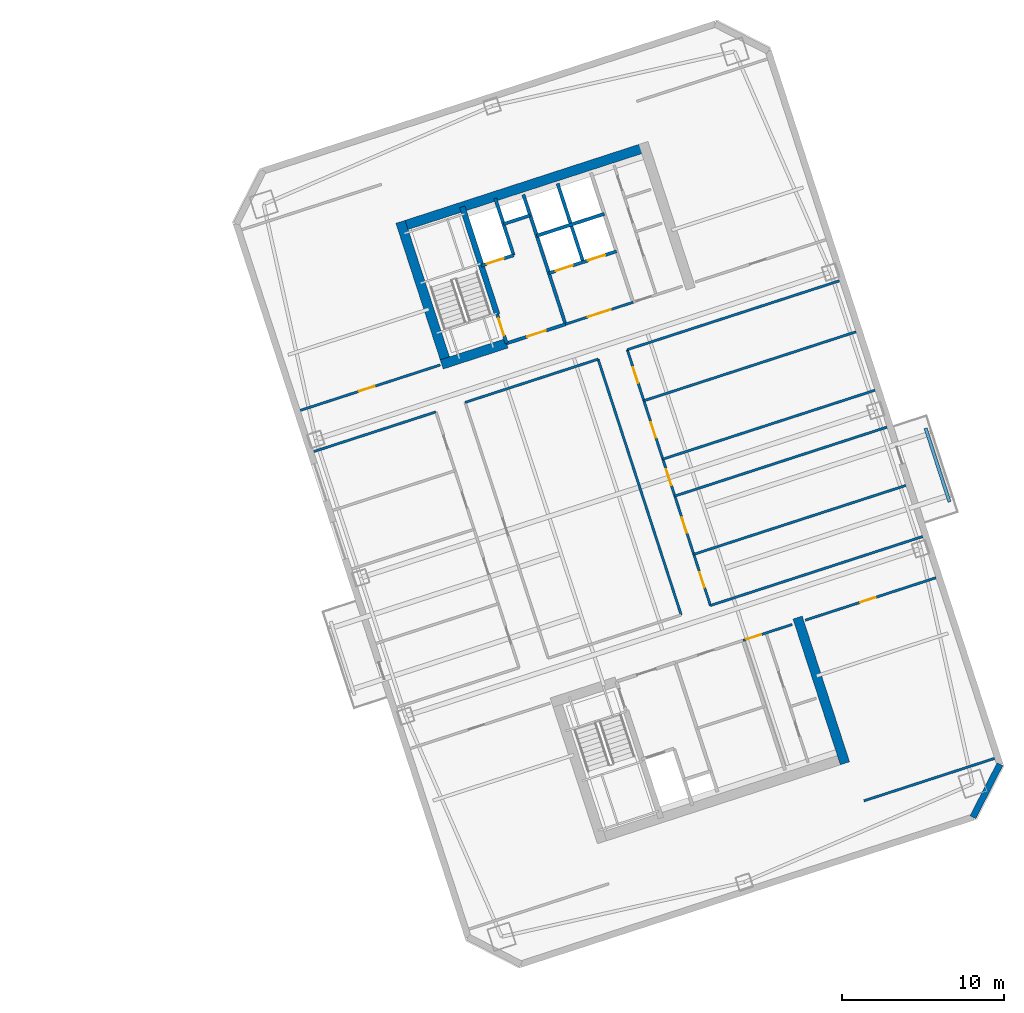
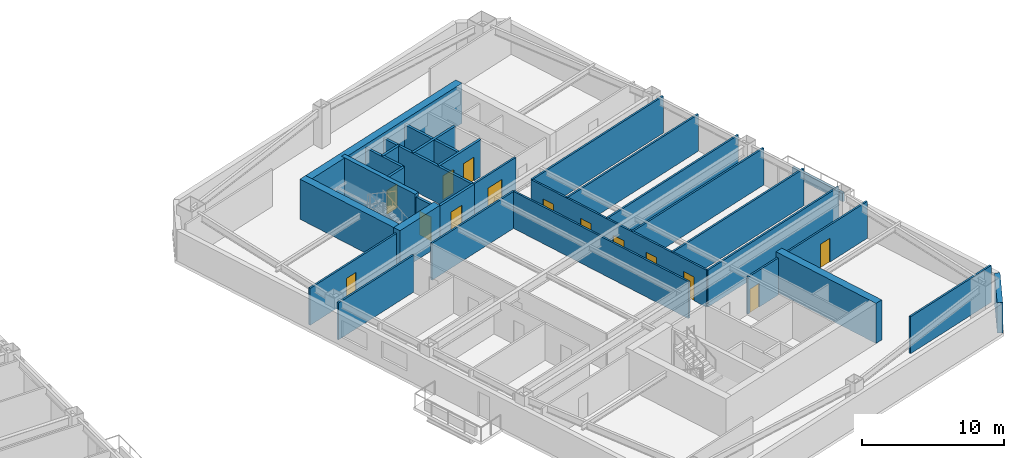
# One storey, part 8 of 14: 31 walls, 14 doors, 14 openings.
"""IFC4 building model written with IfcOpenShell, lengths in metres."""

from ifc_helpers import new_model, si_unit, direction, frame, frame_2d, origin, place, context, subcontext, project, spatial, rectangle, extrude, material, layer, layer_set, type_object, element, fill, save


model = new_model("IFC4")

# Units and contexts
model_context = context("Model", 3, precision=1e-05, world=origin(), true_north=direction((0.0, 1.0)))
body_context = subcontext(model_context, "Body", "Model", "MODEL_VIEW")
ifc_project = project(units=[si_unit("LENGTHUNIT", "METRE"), si_unit("AREAUNIT", "SQUARE_METRE"), si_unit("VOLUMEUNIT", "CUBIC_METRE"), si_unit("PLANEANGLEUNIT", "RADIAN"), si_unit("MASSUNIT", "GRAM", prefix="KILO")], contexts=[model_context])

# Site, building, storey
site_placement = place(None, origin())
site = spatial("IfcSite", under=ifc_project, at=site_placement, CompositionType="ELEMENT")
building_placement = place(site_placement, origin())
building = spatial("IfcBuilding", under=site, at=building_placement, Name="Qiaolan Cultural Towers", CompositionType="ELEMENT")
storey_placement = place(building_placement, frame((0.0, 0.0, 103.5)))
storey = spatial("IfcBuildingStorey", under=building, at=storey_placement, Name="L26", CompositionType="ELEMENT", Elevation=103.5)

# Walls
ifc_material_1 = material(Name="Concrete C50", Category="concrete")
ifc_layer_1 = layer(ifc_material_1, 0.35009765625)
ifc_layer_set_1 = layer_set([ifc_layer_1], Name="Concrete C50")
wall_type_1 = type_object("IfcWallType", Name="WL-CORE-350", PredefinedType="SHEAR", material=ifc_layer_set_1)
wall_1_placement = place(storey_placement, frame((82.513671875, 45.13134765625, 0.0), z_axis=(0.0, 0.0, 1.0), x_axis=(-0.308988790936, 0.951065679686, 0.0)))
element("IfcWall", 1, at=wall_1_placement, inside=storey, type_object=wall_type_1, Name="L26 T2-CN Stair Core Dividing Web", PredefinedType="SHEAR", context=body_context, shape_type="SweptSolid", body=[
    extrude(rectangle(XDim=6.97998046875, YDim=0.35009765625, at=frame_2d((3.489990234375, 0.0))), origin(), (0.0, 0.0, 1.0), 3.449951171875),
])
ifc_material_2 = material(Name="Concrete C55", Category="concrete")
ifc_layer_2 = layer(ifc_material_2, 0.60009765625)
ifc_layer_set_2 = layer_set([ifc_layer_2], Name="Concrete C55")
wall_type_2 = type_object("IfcWallType", Name="WL-CORE-600", PredefinedType="SHEAR", material=ifc_layer_set_2)
wall_2_placement = place(storey_placement, frame((101.105224609375, 26.357666015625, 0.0), z_axis=(0.0, 0.0, 1.0), x_axis=(0.309010370028, -0.95105866865, 0.0)))
element("IfcWall", 2, at=wall_2_placement, inside=storey, type_object=wall_type_2, Name="L26 T2-CS East Core Shear Wall", PredefinedType="SHEAR", context=body_context, shape_type="SweptSolid", body=[
    extrude(rectangle(XDim=9.47998046875, YDim=0.60009765625, at=frame_2d((4.739990234375, 0.0))), origin(), (0.0, 0.0, 1.0), 3.449951171875),
])
wall_3_placement = place(storey_placement, frame((76.343505859375, 50.4658203125, 0.0), z_axis=(0.0, 0.0, 1.0), x_axis=(0.951055727519, 0.309019421968, 0.0)))
element("IfcWall", 3, at=wall_3_placement, inside=storey, type_object=wall_type_2, Name="L26 T2-CN Outer Core Shear Wall", PredefinedType="SHEAR", context=body_context, shape_type="SweptSolid", body=[
    extrude(rectangle(XDim=16.39990234375, YDim=0.60009765625, at=frame_2d((8.199951171875, 0.0))), origin(), (0.0, 0.0, 1.0), 3.449951171875),
])
wall_4_placement = place(storey_placement, frame((79.465576171875, 41.827880859375, 0.0), z_axis=(0.0, 0.0, 1.0), x_axis=(-0.309041232772, 0.951048640421, 0.0)))
element("IfcWall", 4, at=wall_4_placement, inside=storey, type_object=wall_type_2, Name="L26 T2-CN West Core Shear Wall", PredefinedType="SHEAR", context=body_context, shape_type="SweptSolid", body=[
    extrude(rectangle(XDim=9.47998046875, YDim=0.60009765625, at=frame_2d((4.739990234375, 0.0))), origin(), (0.0, 0.0, 1.0), 3.449951171875),
])
wall_5_placement = place(storey_placement, frame((79.08740234375, 42.0205078125, 0.0), z_axis=(0.0, 0.0, 1.0), x_axis=(0.951062550203, 0.3089984233, 0.0)))
element("IfcWall", 5, at=wall_5_placement, inside=storey, type_object=wall_type_2, Name="L26 T2-CN Stair Front Shear Wall", PredefinedType="SHEAR", context=body_context, shape_type="SweptSolid", body=[
    extrude(rectangle(XDim=4.219970703125, YDim=0.60009765625, at=frame_2d((2.10986328125, 0.0))), origin(), (0.0, 0.0, 1.0), 3.449951171875),
])
ifc_material_3 = material(Name="Precast Concrete C50 Honed Stone Pier", Category="masonry")
ifc_layer_3 = layer(ifc_material_3, 0.39990234375)
ifc_layer_set_3 = layer_set([ifc_layer_3], Name="Precast Concrete C50 Honed Stone Pier")
wall_type_3 = type_object("IfcWallType", Name="WL-EXT-PIER-400", PredefinedType="SOLIDWALL", material=ifc_layer_set_3)
wall_6_placement = place(storey_placement, frame((113.62255859375, 17.281494140625, 0.0), z_axis=(0.0, 0.0, 1.0), x_axis=(-0.454026238093, -0.890988313685, 0.0)))
element("IfcWall", 6, at=wall_6_placement, inside=storey, type_object=wall_type_3, Name="L26 East Tower Precast Pier Facade Wall F6", PredefinedType="SOLIDWALL", context=body_context, shape_type="SweptSolid", body=[
    extrude(rectangle(XDim=3.677001953125, YDim=0.39990234375, at=frame_2d((1.83837890625, 0.0))), origin(), (0.0, 0.0, 1.0), 2.610107421875),
])

# Wall, opening, door
ifc_material_4 = material(Name="Concrete C35 Fire Wall", Category="concrete")
ifc_layer_4 = layer(ifc_material_4, 0.199951171875)
ifc_layer_set_4 = layer_set([ifc_layer_4], Name="Concrete C35 Fire Wall")
wall_type_4 = type_object("IfcWallType", Name="WL-FIRE-200", PredefinedType="PARTITIONING", material=ifc_layer_set_4)
wall_7_placement = place(storey_placement, frame((83.100830078125, 43.324462890625, 0.0), z_axis=(0.0, 0.0, 1.0), x_axis=(-0.309048298632, 0.951046344356, 0.0)))
wall_7 = element("IfcWall", 7, at=wall_7_placement, inside=storey, type_object=wall_type_4, Name="L26 T2-CN Smokeproof Stair Entry Wall", PredefinedType="PARTITIONING", context=body_context, shape_type="SweptSolid", body=[
    extrude(rectangle(XDim=1.89990234375, YDim=0.199951171875, at=frame_2d((0.949951171875, 0.0))), origin(), (0.0, 0.0, 1.0), 3.175048828125),
])
opening_1_placement = place(wall_7_placement, frame((0.52001953125, 0.0, 0.0)))
opening_1 = element("IfcOpeningElement", 8, at=opening_1_placement, cuts=wall_7, Name="Opening FD-04", PredefinedType="OPENING", context=body_context, shape_type="SweptSolid", body=[
    extrude(rectangle(XDim=1.10009765625, YDim=2.050048828125, at=frame_2d((0.550048828125, 1.02490234375))), frame((0.0, 0.10986328125, 0.0), z_axis=(0.0, -1.0, 0.0), x_axis=(1.0, 0.0, 0.0)), (0.0, 0.0, 1.0), 0.219970703125),
])
ifc_material_5 = material(Name="Galvanized Steel Command Fire Door", Category="steel")
door_type_1 = type_object("IfcDoorType", Name="DR-FD90-1100", OperationType="NOTDEFINED", PredefinedType="DOOR", material=ifc_material_5)
door_1_placement = place(opening_1_placement, origin())
door_1 = element("IfcDoor", 9, at=door_1_placement, inside=storey, type_object=door_type_1, Name="L26 ST-E2 Smokeproof Stair Fire Door", OperationType="SINGLE_SWING_LEFT", OverallHeight=2.050048828125, OverallWidth=1.10009765625, PredefinedType="DOOR", context=body_context, shape_type="SweptSolid", body=[
    extrude(rectangle(XDim=1.10009765625, YDim=2.050048828125, at=frame_2d((0.550048828125, 1.02490234375))), frame((0.0, 0.02490234375, 0.0), z_axis=(0.0, -1.0, 0.0), x_axis=(1.0, 0.0, 0.0)), (0.0, 0.0, 1.0), 0.050048828125),
])
fill(opening_1, door_1)

# Wall
wall_8_placement = place(storey_placement, frame((86.743408203125, 44.508056640625, 0.0), z_axis=(0.0, 0.0, 1.0), x_axis=(-0.309016001439, 0.951056838919, 0.0)))
element("IfcWall", 10, at=wall_8_placement, inside=storey, type_object=wall_type_4, Name="L26 T2-CN Firefighting Zone Wall", PredefinedType="PARTITIONING", context=body_context, shape_type="SweptSolid", body=[
    extrude(rectangle(XDim=8.429931640625, YDim=0.199951171875, at=frame_2d((4.21484375, 0.0))), origin(), (0.0, 0.0, 1.0), 3.175048828125),
])

# Wall, opening, door
wall_9_placement = place(storey_placement, frame((83.100830078125, 43.324462890625, 0.0), z_axis=(0.0, 0.0, 1.0), x_axis=(0.951052804469, 0.309028417967, 0.0)))
wall_9 = element("IfcWall", 11, at=wall_9_placement, inside=storey, type_object=wall_type_4, Name="L26 T2-CN Firefighting Lobby Front Wall", PredefinedType="PARTITIONING", context=body_context, shape_type="SweptSolid", body=[
    extrude(rectangle(XDim=3.830078125, YDim=0.199951171875, at=frame_2d((1.9150390625, 0.0))), origin(), (0.0, 0.0, 1.0), 3.175048828125),
])
opening_2_placement = place(wall_9_placement, frame((1.35009765625, 0.0, 0.0)))
opening_2 = element("IfcOpeningElement", 12, at=opening_2_placement, cuts=wall_9, Name="Opening FD-03", PredefinedType="OPENING", context=body_context, shape_type="SweptSolid", body=[
    extrude(rectangle(XDim=1.199951171875, YDim=2.050048828125, at=frame_2d((0.60009765625, 1.02490234375))), frame((0.0, 0.10986328125, 0.0), z_axis=(0.0, -1.0, 0.0), x_axis=(1.0, 0.0, 0.0)), (0.0, 0.0, 1.0), 0.219970703125),
])
ifc_material_6 = material(Name="Galvanized Steel Smokeproof Lobby Fire Door", Category="steel")
door_type_2 = type_object("IfcDoorType", Name="DR-FD90-1200", OperationType="NOTDEFINED", PredefinedType="DOOR", material=ifc_material_6)
door_2_placement = place(opening_2_placement, origin())
door_2 = element("IfcDoor", 13, at=door_2_placement, inside=storey, type_object=door_type_2, Name="L26 FFL-E2 Firefighting Lobby Fire Door", OperationType="SINGLE_SWING_LEFT", OverallHeight=2.050048828125, OverallWidth=1.199951171875, PredefinedType="DOOR", context=body_context, shape_type="SweptSolid", body=[
    extrude(rectangle(XDim=1.199951171875, YDim=2.050048828125, at=frame_2d((0.60009765625, 1.02490234375))), frame((0.0, 0.02490234375, 0.0), z_axis=(0.0, -1.0, 0.0), x_axis=(1.0, 0.0, 0.0)), (0.0, 0.0, 1.0), 0.050048828125),
])
fill(opening_2, door_2)

wall_10_placement = place(storey_placement, frame((81.540283203125, 48.127197265625, 0.0), z_axis=(0.0, 0.0, 1.0), x_axis=(0.951062257173, 0.308999325213, 0.0)))
wall_10 = element("IfcWall", 14, at=wall_10_placement, inside=storey, type_object=wall_type_4, Name="L26 T2-CN Firefighting Shaft Front Wall", PredefinedType="PARTITIONING", context=body_context, shape_type="SweptSolid", body=[
    extrude(rectangle(XDim=2.10009765625, YDim=0.199951171875, at=frame_2d((1.050048828125, 0.0))), origin(), (0.0, 0.0, 1.0), 3.175048828125),
])
opening_3_placement = place(wall_10_placement, frame((0.35009765625, 0.0, 0.0)))
opening_3 = element("IfcOpeningElement", 15, at=opening_3_placement, cuts=wall_10, Name="Opening LD-01", PredefinedType="OPENING", context=body_context, shape_type="SweptSolid", body=[
    extrude(rectangle(XDim=1.10009765625, YDim=2.050048828125, at=frame_2d((0.550048828125, 1.02490234375))), frame((0.0, 0.10986328125, 0.0), z_axis=(0.0, -1.0, 0.0), x_axis=(1.0, 0.0, 0.0)), (0.0, 0.0, 1.0), 0.219970703125),
])
ifc_material_7 = material(Name="Brushed Stainless Steel S30408 Centre-Parting Lift Landing Door", Category="steel")
door_type_3 = type_object("IfcDoorType", Name="DR-LIFT-1100", OperationType="NOTDEFINED", PredefinedType="DOOR", material=ifc_material_7)
door_3_placement = place(opening_3_placement, origin())
door_3 = element("IfcDoor", 16, at=door_3_placement, inside=storey, type_object=door_type_3, Name="L26 FFL-E2 Firefighting Lift Landing Door", OperationType="DOUBLE_DOOR_SLIDING", OverallHeight=2.050048828125, OverallWidth=1.10009765625, PredefinedType="DOOR", context=body_context, shape_type="SweptSolid", body=[
    extrude(rectangle(XDim=1.10009765625, YDim=2.050048828125, at=frame_2d((0.550048828125, 1.02490234375))), frame((0.0, 0.02490234375, 0.0), z_axis=(0.0, -1.0, 0.0), x_axis=(1.0, 0.0, 0.0)), (0.0, 0.0, 1.0), 0.050048828125),
])
fill(opening_3, door_3)

# Walls
wall_11_placement = place(storey_placement, frame((83.53759765625, 48.776123046875, 0.0), z_axis=(0.0, 0.0, 1.0), x_axis=(-0.3089935693, 0.951064127245, 0.0)))
element("IfcWall", 17, at=wall_11_placement, inside=storey, type_object=wall_type_4, Name="L26 T2-CN Firefighting Hoistway East Wall", PredefinedType="PARTITIONING", context=body_context, shape_type="SweptSolid", body=[
    extrude(rectangle(XDim=3.7001953125, YDim=0.199951171875, at=frame_2d((1.85009765625, 0.0))), origin(), (0.0, 0.0, 1.0), 3.175048828125),
])
wall_12_placement = place(storey_placement, frame((82.910400390625, 50.706787109375, 0.0), z_axis=(0.0, 0.0, 1.0), x_axis=(0.951041328149, 0.309063734775, 0.0)))
element("IfcWall", 18, at=wall_12_placement, inside=storey, type_object=wall_type_4, Name="L26 T2-CN Pressurization Shaft Front Wall", PredefinedType="PARTITIONING", context=body_context, shape_type="SweptSolid", body=[
    extrude(rectangle(XDim=1.72998046875, YDim=0.199951171875, at=frame_2d((0.864990234375, 0.0))), origin(), (0.0, 0.0, 1.0), 3.175048828125),
])

# Wall, openings, doors
wall_13_placement = place(storey_placement, frame((85.717529296875, 47.66552734375, 0.0), z_axis=(0.0, 0.0, 1.0), x_axis=(0.951058531764, 0.30901079133, 0.0)))
wall_13 = element("IfcWall", 19, at=wall_13_placement, inside=storey, type_object=wall_type_4, Name="L26 T2-CN Passenger Lift Shaft Front Wall", PredefinedType="PARTITIONING", context=body_context, shape_type="SweptSolid", body=[
    extrude(rectangle(XDim=4.39990234375, YDim=0.199951171875, at=frame_2d((2.199951171875, 0.0))), origin(), (0.0, 0.0, 1.0), 3.175048828125),
])
opening_4_placement = place(wall_13_placement, frame((0.449951171875, 0.0, 0.0)))
opening_4 = element("IfcOpeningElement", 20, at=opening_4_placement, cuts=wall_13, Name="Opening LD-01", PredefinedType="OPENING", context=body_context, shape_type="SweptSolid", body=[
    extrude(rectangle(XDim=1.10009765625, YDim=2.050048828125, at=frame_2d((0.550048828125, 1.02490234375))), frame((0.0, 0.10986328125, 0.0), z_axis=(0.0, -1.0, 0.0), x_axis=(1.0, 0.0, 0.0)), (0.0, 0.0, 1.0), 0.219970703125),
])
opening_5_placement = place(wall_13_placement, frame((2.550048828125, 0.0, 0.0)))
opening_5 = element("IfcOpeningElement", 21, at=opening_5_placement, cuts=wall_13, Name="Opening LD-01", PredefinedType="OPENING", context=body_context, shape_type="SweptSolid", body=[
    extrude(rectangle(XDim=1.10009765625, YDim=2.050048828125, at=frame_2d((0.550048828125, 1.02490234375))), frame((0.0, 0.10986328125, 0.0), z_axis=(0.0, -1.0, 0.0), x_axis=(1.0, 0.0, 0.0)), (0.0, 0.0, 1.0), 0.219970703125),
])
door_4_placement = place(opening_4_placement, origin())
door_4 = element("IfcDoor", 22, at=door_4_placement, inside=storey, type_object=door_type_3, Name="L26 Passenger Lift 1 Landing Door", OperationType="DOUBLE_DOOR_SLIDING", OverallHeight=2.050048828125, OverallWidth=1.10009765625, PredefinedType="DOOR", context=body_context, shape_type="SweptSolid", body=[
    extrude(rectangle(XDim=1.10009765625, YDim=2.050048828125, at=frame_2d((0.550048828125, 1.02490234375))), frame((0.0, 0.02490234375, 0.0), z_axis=(0.0, -1.0, 0.0), x_axis=(1.0, 0.0, 0.0)), (0.0, 0.0, 1.0), 0.050048828125),
])
fill(opening_4, door_4)
door_5_placement = place(opening_5_placement, origin())
door_5 = element("IfcDoor", 23, at=door_5_placement, inside=storey, type_object=door_type_3, Name="L26 Passenger Lift 2 Landing Door", OperationType="DOUBLE_DOOR_SLIDING", OverallHeight=2.050048828125, OverallWidth=1.10009765625, PredefinedType="DOOR", context=body_context, shape_type="SweptSolid", body=[
    extrude(rectangle(XDim=1.10009765625, YDim=2.050048828125, at=frame_2d((0.550048828125, 1.02490234375))), frame((0.0, 0.02490234375, 0.0), z_axis=(0.0, -1.0, 0.0), x_axis=(1.0, 0.0, 0.0)), (0.0, 0.0, 1.0), 0.050048828125),
])
fill(opening_5, door_5)

# Walls
wall_14_placement = place(storey_placement, frame((87.83837890625, 48.3544921875, 0.0), z_axis=(0.0, 0.0, 1.0), x_axis=(-0.3090093719, 0.951058992953, 0.0)))
element("IfcWall", 24, at=wall_14_placement, inside=storey, type_object=wall_type_4, Name="L26 T2-CN Lift Shaft Divider Wall", PredefinedType="PARTITIONING", context=body_context, shape_type="SweptSolid", body=[
    extrude(rectangle(XDim=5.110107421875, YDim=0.199951171875, at=frame_2d((2.55517578125, 0.0))), origin(), (0.0, 0.0, 1.0), 3.175048828125),
])
wall_15_placement = place(storey_placement, frame((84.966552734375, 49.9765625, 0.0), z_axis=(0.0, 0.0, 1.0), x_axis=(0.951063829732, 0.308994485023, 0.0)))
element("IfcWall", 25, at=wall_15_placement, inside=storey, type_object=wall_type_4, Name="L26 T2-CN Passenger Lift Shaft Back Wall", PredefinedType="PARTITIONING", context=body_context, shape_type="SweptSolid", body=[
    extrude(rectangle(XDim=4.400146484375, YDim=0.199951171875, at=frame_2d((2.2001953125, 0.0))), origin(), (0.0, 0.0, 1.0), 3.175048828125),
])

# Wall, opening, door
ifc_material_8 = material(Name="Autoclaved Aerated Concrete Block B06", Category="concrete")
ifc_layer_5 = layer(ifc_material_8, 0.14990234375)
ifc_layer_set_5 = layer_set([ifc_layer_5], Name="Autoclaved Aerated Concrete Block B06")
wall_type_5 = type_object("IfcWallType", Name="WL-PART-150", PredefinedType="PARTITIONING", material=ifc_layer_set_5)
wall_16_placement = place(storey_placement, frame((97.7265625, 24.9443359375, 0.0), z_axis=(0.0, 0.0, 1.0), x_axis=(0.951036872128, 0.309077446369, 0.0)))
wall_16 = element("IfcWall", 26, at=wall_16_placement, inside=storey, type_object=wall_type_5, Name="L26 T2-CS Sanitary Core Front Wall", PredefinedType="PARTITIONING", context=body_context, shape_type="SweptSolid", body=[
    extrude(rectangle(XDim=3.199951171875, YDim=0.14990234375, at=frame_2d((1.60009765625, 0.0))), origin(), (0.0, 0.0, 1.0), 3.175048828125),
])
opening_6_placement = place(wall_16_placement, frame((0.219970703125, 0.0, 0.0)))
opening_6 = element("IfcOpeningElement", 27, at=opening_6_placement, cuts=wall_16, Name="Opening ID-05", PredefinedType="OPENING", context=body_context, shape_type="SweptSolid", body=[
    extrude(rectangle(XDim=0.949951171875, YDim=2.050048828125, at=frame_2d((0.47509765625, 1.02490234375))), frame((0.0, 0.0849609375, 0.0), z_axis=(0.0, -1.0, 0.0), x_axis=(1.0, 0.0, 0.0)), (0.0, 0.0, 1.0), 0.169921875),
])
ifc_material_9 = material(Name="Fire-Rated Laminate Accessible Core Door", Category="timber")
door_type_4 = type_object("IfcDoorType", Name="DR-INT-950", OperationType="NOTDEFINED", PredefinedType="DOOR", material=ifc_material_9)
door_6_placement = place(opening_6_placement, origin())
door_6 = element("IfcDoor", 28, at=door_6_placement, inside=storey, type_object=door_type_4, Name="L26 Sanitary Lobby Door", OperationType="SINGLE_SWING_LEFT", OverallHeight=2.050048828125, OverallWidth=0.949951171875, PredefinedType="DOOR", context=body_context, shape_type="SweptSolid", body=[
    extrude(rectangle(XDim=0.949951171875, YDim=2.050048828125, at=frame_2d((0.47509765625, 1.02490234375))), frame((0.0, 0.02490234375, 0.0), z_axis=(0.0, -1.0, 0.0), x_axis=(1.0, 0.0, 0.0)), (0.0, 0.0, 1.0), 0.050048828125),
])
fill(opening_6, door_6)

wall_17_placement = place(storey_placement, frame((86.743408203125, 44.508056640625, 0.0), z_axis=(0.0, 0.0, 1.0), x_axis=(0.951063829732, 0.308994485023, 0.0)))
wall_17 = element("IfcWall", 29, at=wall_17_placement, inside=storey, type_object=wall_type_5, Name="L26 T2-CN Passenger Lift Lobby Front Wall", PredefinedType="PARTITIONING", context=body_context, shape_type="SweptSolid", body=[
    extrude(rectangle(XDim=4.400146484375, YDim=0.14990234375, at=frame_2d((2.2001953125, 0.0))), origin(), (0.0, 0.0, 1.0), 3.175048828125),
])
opening_7_placement = place(wall_17_placement, frame((1.449951171875, 0.0, 0.0)))
opening_7 = element("IfcOpeningElement", 30, at=opening_7_placement, cuts=wall_17, Name="Opening FD-05", PredefinedType="OPENING", context=body_context, shape_type="SweptSolid", body=[
    extrude(rectangle(XDim=1.5, YDim=2.050048828125, at=frame_2d((0.75, 1.02490234375))), frame((0.0, 0.0849609375, 0.0), z_axis=(0.0, -1.0, 0.0), x_axis=(1.0, 0.0, 0.0)), (0.0, 0.0, 1.0), 0.169921875),
])
ifc_material_10 = material(Name="Painted Steel Lift Lobby Fire Door", Category="steel")
door_type_5 = type_object("IfcDoorType", Name="DR-FD60-1500", OperationType="NOTDEFINED", PredefinedType="DOOR", material=ifc_material_10)
door_7_placement = place(opening_7_placement, origin())
door_7 = element("IfcDoor", 31, at=door_7_placement, inside=storey, type_object=door_type_5, Name="L26 Passenger Lift Lobby Entrance", OperationType="SINGLE_SWING_LEFT", OverallHeight=2.050048828125, OverallWidth=1.5, PredefinedType="DOOR", context=body_context, shape_type="SweptSolid", body=[
    extrude(rectangle(XDim=1.5, YDim=2.050048828125, at=frame_2d((0.75, 1.02490234375))), frame((0.0, 0.02490234375, 0.0), z_axis=(0.0, -1.0, 0.0), x_axis=(1.0, 0.0, 0.0)), (0.0, 0.0, 1.0), 0.050048828125),
])
fill(opening_7, door_7)

# Wall
wall_18_placement = place(storey_placement, frame((105.209228515625, 15.02099609375, 0.0), z_axis=(0.0, 0.0, 1.0), x_axis=(0.951054329824, 0.309023723562, 0.0)))
element("IfcWall", 32, at=wall_18_placement, inside=storey, type_object=wall_type_5, Name="L26 T2 Flank Wall FLK-SE", PredefinedType="PARTITIONING", context=body_context, shape_type="SweptSolid", body=[
    extrude(rectangle(XDim=8.5, YDim=0.14990234375, at=frame_2d((4.25, 0.0))), origin(), (0.0, 0.0, 1.0), 3.175048828125),
])

# Wall, opening, door
wall_19_placement = place(storey_placement, frame((101.578369140625, 26.196044921875, 0.0), z_axis=(0.0, 0.0, 1.0), x_axis=(0.951062770994, 0.308997743729, 0.0)))
wall_19 = element("IfcWall", 33, at=wall_19_placement, inside=storey, type_object=wall_type_5, Name="L26 T2 Flank Front FLK-SE", PredefinedType="PARTITIONING", context=body_context, shape_type="SweptSolid", body=[
    extrude(rectangle(XDim=8.5, YDim=0.14990234375, at=frame_2d((4.25, 0.0))), origin(), (0.0, 0.0, 1.0), 3.175048828125),
])
opening_8_placement = place(wall_19_placement, frame((3.570068359375, 0.0, 0.0)))
opening_8 = element("IfcOpeningElement", 34, at=opening_8_placement, cuts=wall_19, Name="Opening ID-04", PredefinedType="OPENING", context=body_context, shape_type="SweptSolid", body=[
    extrude(rectangle(XDim=1.0, YDim=2.050048828125, at=frame_2d((0.5, 1.02490234375))), frame((0.0, 0.0849609375, 0.0), z_axis=(0.0, -1.0, 0.0), x_axis=(1.0, 0.0, 0.0)), (0.0, 0.0, 1.0), 0.169921875),
])
ifc_material_11 = material(Name="Oak Veneer Acoustic Office Door", Category="timber")
door_type_6 = type_object("IfcDoorType", Name="DR-INT-1000", OperationType="NOTDEFINED", PredefinedType="DOOR", material=ifc_material_11)
door_8_placement = place(opening_8_placement, origin())
door_8 = element("IfcDoor", 35, at=door_8_placement, inside=storey, type_object=door_type_6, Name="L26 T2 Corner Studio Door", OperationType="SINGLE_SWING_LEFT", OverallHeight=2.050048828125, OverallWidth=1.0, PredefinedType="DOOR", context=body_context, shape_type="SweptSolid", body=[
    extrude(rectangle(XDim=1.0, YDim=2.050048828125, at=frame_2d((0.5, 1.02490234375))), frame((0.0, 0.02490234375, 0.0), z_axis=(0.0, -1.0, 0.0), x_axis=(1.0, 0.0, 0.0)), (0.0, 0.0, 1.0), 0.050048828125),
])
fill(opening_8, door_8)

wall_20_placement = place(storey_placement, frame((70.337646484375, 39.177490234375, 0.0), z_axis=(0.0, 0.0, 1.0), x_axis=(0.951059695568, 0.309007209409, 0.0)))
wall_20 = element("IfcWall", 36, at=wall_20_placement, inside=storey, type_object=wall_type_5, Name="L26 T2 Flank Front FLK-NW", PredefinedType="PARTITIONING", context=body_context, shape_type="SweptSolid", body=[
    extrude(rectangle(XDim=9.10009765625, YDim=0.14990234375, at=frame_2d((4.550048828125, 0.0))), origin(), (0.0, 0.0, 1.0), 3.175048828125),
])
opening_9_placement = place(wall_20_placement, frame((3.822021484375, 0.0, 0.0)))
opening_9 = element("IfcOpeningElement", 37, at=opening_9_placement, cuts=wall_20, Name="Opening ID-04", PredefinedType="OPENING", context=body_context, shape_type="SweptSolid", body=[
    extrude(rectangle(XDim=1.0, YDim=2.050048828125, at=frame_2d((0.5, 1.02490234375))), frame((0.0, 0.0849609375, 0.0), z_axis=(0.0, -1.0, 0.0), x_axis=(1.0, 0.0, 0.0)), (0.0, 0.0, 1.0), 0.169921875),
])
door_9_placement = place(opening_9_placement, origin())
door_9 = element("IfcDoor", 38, at=door_9_placement, inside=storey, type_object=door_type_6, Name="L26 T2 Corner Studio Door", OperationType="SINGLE_SWING_LEFT", OverallHeight=2.050048828125, OverallWidth=1.0, PredefinedType="DOOR", context=body_context, shape_type="SweptSolid", body=[
    extrude(rectangle(XDim=1.0, YDim=2.050048828125, at=frame_2d((0.5, 1.02490234375))), frame((0.0, 0.02490234375, 0.0), z_axis=(0.0, -1.0, 0.0), x_axis=(1.0, 0.0, 0.0)), (0.0, 0.0, 1.0), 0.050048828125),
])
fill(opening_9, door_9)

# Walls
wall_21_placement = place(storey_placement, frame((95.70947265625, 27.10693359375, 0.0), z_axis=(0.0, 0.0, 1.0), x_axis=(0.951056688031, 0.309016465825, 0.0)))
element("IfcWall", 39, at=wall_21_placement, inside=storey, type_object=wall_type_5, Name="L26 T2 Interior Wall", PredefinedType="PARTITIONING", context=body_context, shape_type="SweptSolid", body=[
    extrude(rectangle(XDim=13.7998046875, YDim=0.14990234375, at=frame_2d((6.89990234375, 0.0))), origin(), (0.0, 0.0, 1.0), 3.175048828125),
])
wall_22_placement = place(storey_placement, frame((71.166015625, 36.628662109375, 0.0), z_axis=(0.0, 0.0, 1.0), x_axis=(0.951060470027, 0.309004825775, 0.0)))
element("IfcWall", 40, at=wall_22_placement, inside=storey, type_object=wall_type_5, Name="L26 T2 Interior Wall", PredefinedType="PARTITIONING", context=body_context, shape_type="SweptSolid", body=[
    extrude(rectangle(XDim=7.949951171875, YDim=0.14990234375, at=frame_2d((3.97509765625, 0.0))), origin(), (0.0, 0.0, 1.0), 3.175048828125),
])
wall_23_placement = place(storey_placement, frame((80.533935546875, 39.67236328125, 0.0), z_axis=(0.0, 0.0, 1.0), x_axis=(0.951052319652, 0.309029910015, 0.0)))
element("IfcWall", 41, at=wall_23_placement, inside=storey, type_object=wall_type_5, Name="L26 T2 Interior Wall", PredefinedType="PARTITIONING", context=body_context, shape_type="SweptSolid", body=[
    extrude(rectangle(XDim=8.64990234375, YDim=0.14990234375, at=frame_2d((4.324951171875, 0.0))), origin(), (0.0, 0.0, 1.0), 3.175048828125),
])
wall_24_placement = place(storey_placement, frame((90.5673828125, 42.9326171875, 0.0), z_axis=(0.0, 0.0, 1.0), x_axis=(0.951058377365, 0.309011266531, 0.0)))
element("IfcWall", 42, at=wall_24_placement, inside=storey, type_object=wall_type_5, Name="L26 T2 Interior Wall", PredefinedType="PARTITIONING", context=body_context, shape_type="SweptSolid", body=[
    extrude(rectangle(XDim=13.800048828125, YDim=0.14990234375, at=frame_2d((6.89990234375, 0.0))), origin(), (0.0, 0.0, 1.0), 3.175048828125),
])
wall_25_placement = place(storey_placement, frame((93.902587890625, 26.519775390625, 0.0), z_axis=(0.0, 0.0, 1.0), x_axis=(-0.30901773025, 0.951056277195, 0.0)))
element("IfcWall", 43, at=wall_25_placement, inside=storey, type_object=wall_type_5, Name="L26 T2 Interior Wall", PredefinedType="PARTITIONING", context=body_context, shape_type="SweptSolid", body=[
    extrude(rectangle(XDim=16.64013671875, YDim=0.14990234375, at=frame_2d((8.320068359375, 0.0))), origin(), (0.0, 0.0, 1.0), 3.175048828125),
])

# Wall, openings, doors
wall_26_placement = place(storey_placement, frame((95.70947265625, 27.10693359375, 0.0), z_axis=(0.0, 0.0, 1.0), x_axis=(-0.30901773025, 0.951056277195, 0.0)))
wall_26 = element("IfcWall", 44, at=wall_26_placement, inside=storey, type_object=wall_type_5, Name="L26 T2 Interior Wall", PredefinedType="PARTITIONING", context=body_context, shape_type="SweptSolid", body=[
    extrude(rectangle(XDim=16.64013671875, YDim=0.14990234375, at=frame_2d((8.320068359375, 0.0))), origin(), (0.0, 0.0, 1.0), 3.175048828125),
])
opening_10_placement = place(wall_26_placement, frame((1.1640625, 0.0, 0.0)))
opening_10 = element("IfcOpeningElement", 45, at=opening_10_placement, cuts=wall_26, Name="Opening ID-04", PredefinedType="OPENING", context=body_context, shape_type="SweptSolid", body=[
    extrude(rectangle(XDim=1.0, YDim=2.050048828125, at=frame_2d((0.5, 1.02490234375))), frame((0.0, 0.0849609375, 0.0), z_axis=(0.0, -1.0, 0.0), x_axis=(1.0, 0.0, 0.0)), (0.0, 0.0, 1.0), 0.169921875),
])
opening_11_placement = place(wall_26_placement, frame((4.72412109375, 0.0, 0.0)))
opening_11 = element("IfcOpeningElement", 46, at=opening_11_placement, cuts=wall_26, Name="Opening ID-04", PredefinedType="OPENING", context=body_context, shape_type="SweptSolid", body=[
    extrude(rectangle(XDim=1.0, YDim=2.050048828125, at=frame_2d((0.5, 1.02490234375))), frame((0.0, 0.0849609375, 0.0), z_axis=(0.0, -1.0, 0.0), x_axis=(1.0, 0.0, 0.0)), (0.0, 0.0, 1.0), 0.169921875),
])
opening_12_placement = place(wall_26_placement, frame((7.820068359375, 0.0, 0.0)))
opening_12 = element("IfcOpeningElement", 47, at=opening_12_placement, cuts=wall_26, Name="Opening ID-07", PredefinedType="OPENING", context=body_context, shape_type="SweptSolid", body=[
    extrude(rectangle(XDim=1.050048828125, YDim=2.050048828125, at=frame_2d((0.52490234375, 1.02490234375))), frame((0.0, 0.0849609375, 0.0), z_axis=(0.0, -1.0, 0.0), x_axis=(1.0, 0.0, 0.0)), (0.0, 0.0, 1.0), 0.169921875),
])
opening_13_placement = place(wall_26_placement, frame((10.919921875, 0.0, 0.0)))
opening_13 = element("IfcOpeningElement", 48, at=opening_13_placement, cuts=wall_26, Name="Opening ID-04", PredefinedType="OPENING", context=body_context, shape_type="SweptSolid", body=[
    extrude(rectangle(XDim=1.0, YDim=2.050048828125, at=frame_2d((0.5, 1.02490234375))), frame((0.0, 0.0849609375, 0.0), z_axis=(0.0, -1.0, 0.0), x_axis=(1.0, 0.0, 0.0)), (0.0, 0.0, 1.0), 0.169921875),
])
opening_14_placement = place(wall_26_placement, frame((14.47998046875, 0.0, 0.0)))
opening_14 = element("IfcOpeningElement", 49, at=opening_14_placement, cuts=wall_26, Name="Opening ID-04", PredefinedType="OPENING", context=body_context, shape_type="SweptSolid", body=[
    extrude(rectangle(XDim=1.0, YDim=2.050048828125, at=frame_2d((0.5, 1.02490234375))), frame((0.0, 0.0849609375, 0.0), z_axis=(0.0, -1.0, 0.0), x_axis=(1.0, 0.0, 0.0)), (0.0, 0.0, 1.0), 0.169921875),
])
door_10_placement = place(opening_10_placement, origin())
door_10 = element("IfcDoor", 50, at=door_10_placement, inside=storey, type_object=door_type_6, Name="L26 T2 Archival Research Office Door", OperationType="SINGLE_SWING_RIGHT", OverallHeight=2.050048828125, OverallWidth=1.0, PredefinedType="DOOR", context=body_context, shape_type="SweptSolid", body=[
    extrude(rectangle(XDim=1.0, YDim=2.050048828125, at=frame_2d((0.5, 1.02490234375))), frame((0.0, 0.02490234375, 0.0), z_axis=(0.0, -1.0, 0.0), x_axis=(1.0, 0.0, 0.0)), (0.0, 0.0, 1.0), 0.050048828125),
])
fill(opening_10, door_10)
door_11_placement = place(opening_11_placement, origin())
door_11 = element("IfcDoor", 51, at=door_11_placement, inside=storey, type_object=door_type_6, Name="L26 T2 Archival Research Office Door", OperationType="SINGLE_SWING_LEFT", OverallHeight=2.050048828125, OverallWidth=1.0, PredefinedType="DOOR", context=body_context, shape_type="SweptSolid", body=[
    extrude(rectangle(XDim=1.0, YDim=2.050048828125, at=frame_2d((0.5, 1.02490234375))), frame((0.0, 0.02490234375, 0.0), z_axis=(0.0, -1.0, 0.0), x_axis=(1.0, 0.0, 0.0)), (0.0, 0.0, 1.0), 0.050048828125),
])
fill(opening_11, door_11)
door_12_placement = place(opening_13_placement, origin())
door_12 = element("IfcDoor", 52, at=door_12_placement, inside=storey, type_object=door_type_6, Name="L26 T2 Tea Kitchen Door", OperationType="SINGLE_SWING_LEFT", OverallHeight=2.050048828125, OverallWidth=1.0, PredefinedType="DOOR", context=body_context, shape_type="SweptSolid", body=[
    extrude(rectangle(XDim=1.0, YDim=2.050048828125, at=frame_2d((0.5, 1.02490234375))), frame((0.0, 0.02490234375, 0.0), z_axis=(0.0, -1.0, 0.0), x_axis=(1.0, 0.0, 0.0)), (0.0, 0.0, 1.0), 0.050048828125),
])
fill(opening_13, door_12)
door_13_placement = place(opening_14_placement, origin())
door_13 = element("IfcDoor", 53, at=door_13_placement, inside=storey, type_object=door_type_6, Name="L26 T2 Scholar Lounge Door", OperationType="SINGLE_SWING_RIGHT", OverallHeight=2.050048828125, OverallWidth=1.0, PredefinedType="DOOR", context=body_context, shape_type="SweptSolid", body=[
    extrude(rectangle(XDim=1.0, YDim=2.050048828125, at=frame_2d((0.5, 1.02490234375))), frame((0.0, 0.02490234375, 0.0), z_axis=(0.0, -1.0, 0.0), x_axis=(1.0, 0.0, 0.0)), (0.0, 0.0, 1.0), 0.050048828125),
])
fill(opening_14, door_13)
ifc_material_12 = material(Name="Oak Veneer Consultation Door", Category="timber")
door_type_7 = type_object("IfcDoorType", Name="DR-INT-1050", OperationType="NOTDEFINED", PredefinedType="DOOR", material=ifc_material_12)
door_14_placement = place(opening_12_placement, origin())
door_14 = element("IfcDoor", 54, at=door_14_placement, inside=storey, type_object=door_type_7, Name="L26 T2 Colloquium Room Door", OperationType="SINGLE_SWING_RIGHT", OverallHeight=2.050048828125, OverallWidth=1.050048828125, PredefinedType="DOOR", context=body_context, shape_type="SweptSolid", body=[
    extrude(rectangle(XDim=1.050048828125, YDim=2.050048828125, at=frame_2d((0.52490234375, 1.02490234375))), frame((0.0, 0.02490234375, 0.0), z_axis=(0.0, -1.0, 0.0), x_axis=(1.0, 0.0, 0.0)), (0.0, 0.0, 1.0), 0.050048828125),
])
fill(opening_12, door_14)

# Walls
wall_27_placement = place(storey_placement, frame((94.68115234375, 30.27197265625, 0.0), z_axis=(0.0, 0.0, 1.0), x_axis=(0.951051488548, 0.309032467762, 0.0)))
element("IfcWall", 55, at=wall_27_placement, inside=storey, type_object=wall_type_5, Name="L26 T2 Interior Wall", PredefinedType="PARTITIONING", context=body_context, shape_type="SweptSolid", body=[
    extrude(rectangle(XDim=13.800048828125, YDim=0.14990234375, at=frame_2d((6.89990234375, 0.0))), origin(), (0.0, 0.0, 1.0), 3.175048828125),
])
wall_28_placement = place(storey_placement, frame((93.50927734375, 33.87841796875, 0.0), z_axis=(0.0, 0.0, 1.0), x_axis=(0.951056688031, 0.309016465825, 0.0)))
element("IfcWall", 56, at=wall_28_placement, inside=storey, type_object=wall_type_5, Name="L26 T2 Interior Wall", PredefinedType="PARTITIONING", context=body_context, shape_type="SweptSolid", body=[
    extrude(rectangle(XDim=13.7998046875, YDim=0.14990234375, at=frame_2d((6.89990234375, 0.0))), origin(), (0.0, 0.0, 1.0), 3.175048828125),
])
wall_29_placement = place(storey_placement, frame((92.767578125, 36.1611328125, 0.0), z_axis=(0.0, 0.0, 1.0), x_axis=(0.951058377365, 0.309011266531, 0.0)))
element("IfcWall", 57, at=wall_29_placement, inside=storey, type_object=wall_type_5, Name="L26 T2 Interior Wall", PredefinedType="PARTITIONING", context=body_context, shape_type="SweptSolid", body=[
    extrude(rectangle(XDim=13.800048828125, YDim=0.14990234375, at=frame_2d((6.89990234375, 0.0))), origin(), (0.0, 0.0, 1.0), 3.175048828125),
])
wall_30_placement = place(storey_placement, frame((91.593505859375, 39.775146484375, 0.0), z_axis=(0.0, 0.0, 1.0), x_axis=(0.951056688031, 0.309016465825, 0.0)))
element("IfcWall", 58, at=wall_30_placement, inside=storey, type_object=wall_type_5, Name="L26 T2 Interior Wall", PredefinedType="PARTITIONING", context=body_context, shape_type="SweptSolid", body=[
    extrude(rectangle(XDim=13.7998046875, YDim=0.14990234375, at=frame_2d((6.89990234375, 0.0))), origin(), (0.0, 0.0, 1.0), 3.175048828125),
])
ifc_material_13 = material(Name="Precast Concrete C45 Tree Planter Upstand", Category="concrete")
ifc_layer_6 = layer(ifc_material_13, 0.199951171875)
ifc_layer_set_6 = layer_set([ifc_layer_6], Name="Precast Concrete C45 Tree Planter Upstand")
wall_type_6 = type_object("IfcWallType", Name="WL-PLANTER-200", PredefinedType="PARAPET", material=ifc_layer_set_6)
wall_31_placement = place(storey_placement, frame((110.504150390625, 33.51220703125, 0.0), z_axis=(0.0, 0.0, 1.0), x_axis=(-0.308986014439, 0.951066581729, 0.0)))
element("IfcWall", 59, at=wall_31_placement, inside=storey, type_object=wall_type_6, Name="L26 T2 Tree Balcony Soil Planter Box E", PredefinedType="PARAPET", context=body_context, shape_type="SweptSolid", body=[
    extrude(rectangle(XDim=4.800048828125, YDim=0.199951171875, at=frame_2d((2.39990234375, 0.0))), origin(), (0.0, 0.0, 1.0), 0.75),
])

save(model, "model.ifc")
